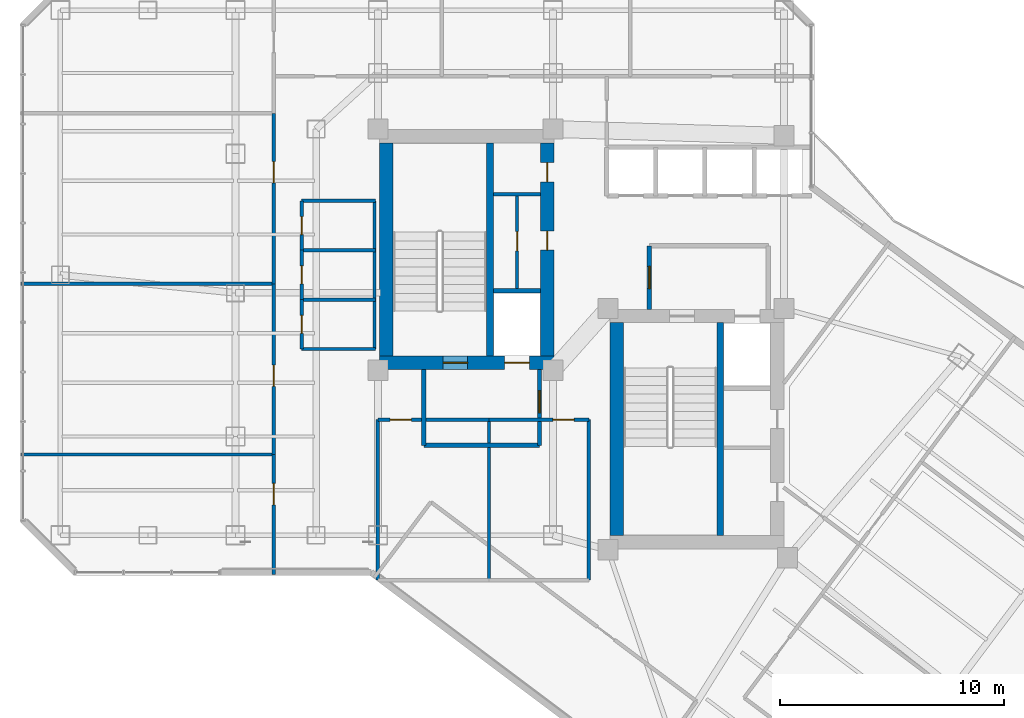
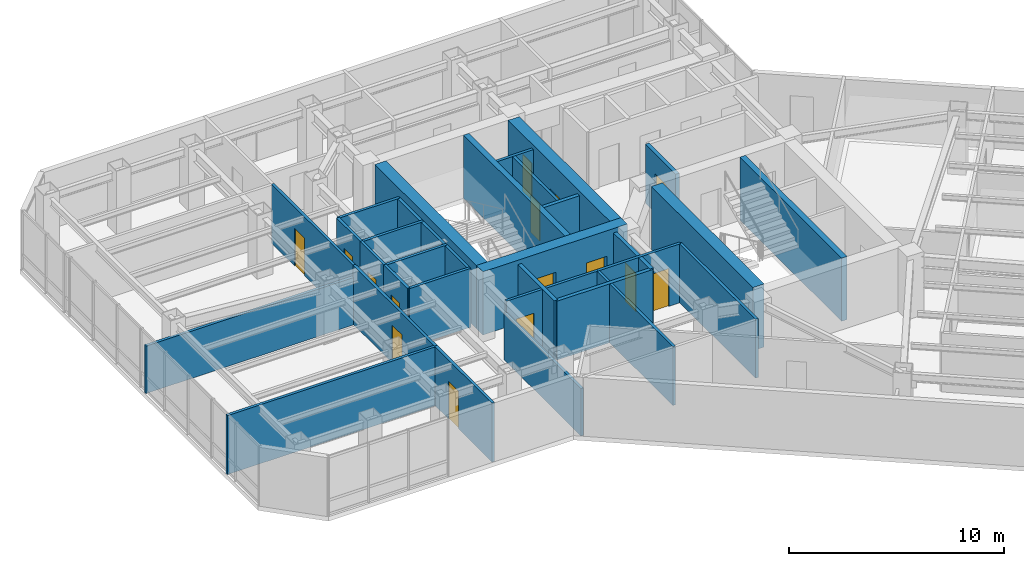
# One storey, part 22 of 27: 31 walls, 15 doors, 15 openings.
"""IFC4 building model written with IfcOpenShell, lengths in metres."""

from ifc_helpers import new_model, si_unit, direction, frame, frame_2d, origin, place, context, subcontext, project, spatial, rectangle, extrude, material, layer, layer_set, type_object, element, fill, save


model = new_model("IFC4")

# Units and contexts
model_context = context("Model", 3, precision=1e-05, world=origin(), true_north=direction((0.0, 1.0)))
body_context = subcontext(model_context, "Body", "Model", "MODEL_VIEW")
ifc_project = project(units=[si_unit("LENGTHUNIT", "METRE"), si_unit("AREAUNIT", "SQUARE_METRE"), si_unit("VOLUMEUNIT", "CUBIC_METRE"), si_unit("PLANEANGLEUNIT", "RADIAN"), si_unit("MASSUNIT", "GRAM", prefix="KILO")], contexts=[model_context])

# Site, building, storey
site_placement = place(None, origin())
site = spatial("IfcSite", under=ifc_project, at=site_placement, CompositionType="ELEMENT")
building_placement = place(site_placement, origin())
building = spatial("IfcBuilding", under=site, at=building_placement, Name="Hatsunagi Terrace Concourse", CompositionType="ELEMENT")
storey_placement = place(building_placement, frame((0.0, 0.0, 142.050048828125)))
storey = spatial("IfcBuildingStorey", under=building, at=storey_placement, Name="L37", CompositionType="ELEMENT", Elevation=142.050048828125)

# Wall, openings, doors
ifc_material_1 = material(Name="Concrete Fc48", Category="concrete")
ifc_layer_1 = layer(ifc_material_1, 0.60009765625)
ifc_layer_set_1 = layer_set([ifc_layer_1], Name="CoreShearWall_Fc48_600")
wall_type_1 = type_object("IfcWallType", Name="CoreShearWall_Fc48_600", PredefinedType="SHEAR", material=ifc_layer_set_1)
wall_1_placement = place(storey_placement, frame((25.6201171875, 32.889892578125, 0.0), z_axis=(0.0, 0.0, 1.0), x_axis=(1.0, 0.0, 0.0)))
wall_1 = element("IfcWall", 1, at=wall_1_placement, inside=storey, type_object=wall_type_1, Name="Core A Shear Wall S L37", PredefinedType="SHEAR", context=body_context, shape_type="SweptSolid", body=[
    extrude(rectangle(XDim=7.77978515625, YDim=0.60009765625, at=frame_2d((3.889892578125, 0.0))), origin(), (0.0, 0.0, 1.0), 3.599853515625),
])
opening_1_placement = place(wall_1_placement, frame((2.830078125, 0.0, 0.0)))
opening_1 = element("IfcOpeningElement", 2, at=opening_1_placement, cuts=wall_1, Name="Opening DR-110S", PredefinedType="OPENING", context=body_context, shape_type="SweptSolid", body=[
    extrude(rectangle(XDim=1.10009765625, YDim=2.199951171875, at=frame_2d((0.550048828125, 1.10009765625))), frame((0.0, 0.31005859375, 0.0), z_axis=(0.0, -1.0, 0.0), x_axis=(1.0, 0.0, 0.0)), (0.0, 0.0, 1.0), 0.6201171875),
])
opening_2_placement = place(wall_1_placement, frame((5.580078125, 0.0, 0.0)))
opening_2 = element("IfcOpeningElement", 3, at=opening_2_placement, cuts=wall_1, Name="Opening LD-01", PredefinedType="OPENING", context=body_context, shape_type="SweptSolid", body=[
    extrude(rectangle(XDim=1.10009765625, YDim=2.14990234375, at=frame_2d((0.550048828125, 1.074951171875))), frame((0.0, 0.31005859375, 0.0), z_axis=(0.0, -1.0, 0.0), x_axis=(1.0, 0.0, 0.0)), (0.0, 0.0, 1.0), 0.6201171875),
])
ifc_material_2 = material(Name="Stainless steel", Category="steel")
door_type_1 = type_object("IfcDoorType", Name="LiftLandingDoor_LD01", OperationType="SLIDING_TO_LEFT", PredefinedType="USERDEFINED", material=ifc_material_2)
door_1_placement = place(opening_2_placement, origin())
door_1 = element("IfcDoor", 4, at=door_1_placement, inside=storey, type_object=door_type_1, Name="Lift landing door FF-01 L37", ObjectType="SLIDING_LANDING_DOOR", OperationType="SLIDING_TO_LEFT", OverallHeight=2.14990234375, OverallWidth=1.10009765625, PredefinedType="USERDEFINED", context=body_context, shape_type="SweptSolid", body=[
    extrude(rectangle(XDim=1.10009765625, YDim=2.14990234375, at=frame_2d((0.550048828125, 1.074951171875))), frame((0.0, 0.02490234375, 0.0), z_axis=(0.0, -1.0, 0.0), x_axis=(1.0, 0.0, 0.0)), (0.0, 0.0, 1.0), 0.050048828125),
])
fill(opening_2, door_1)
ifc_material_3 = material(Name="Painted steel", Category="steel")
door_type_2 = type_object("IfcDoorType", Name="StairFireDoor_EI60_1100", OperationType="NOTDEFINED", PredefinedType="DOOR", material=ifc_material_3)
door_2_placement = place(opening_1_placement, origin())
door_2 = element("IfcDoor", 5, at=door_2_placement, inside=storey, type_object=door_type_2, Name="Stair ST-A Exit Door L37", OperationType="SINGLE_SWING_LEFT", OverallHeight=2.199951171875, OverallWidth=1.10009765625, PredefinedType="DOOR", context=body_context, shape_type="SweptSolid", body=[
    extrude(rectangle(XDim=1.10009765625, YDim=2.199951171875, at=frame_2d((0.550048828125, 1.10009765625))), frame((0.0, 0.02490234375, 0.0), z_axis=(0.0, -1.0, 0.0), x_axis=(1.0, 0.0, 0.0)), (0.0, 0.0, 1.0), 0.050048828125),
])
fill(opening_1, door_2)

# Wall
wall_2_placement = place(storey_placement, frame((25.919921875, 33.18994140625, 0.0), z_axis=(0.0, 0.0, 1.0), x_axis=(0.0, 1.0, 0.0)))
element("IfcWall", 6, at=wall_2_placement, inside=storey, type_object=wall_type_1, Name="Core A Shear Wall W L37", PredefinedType="SHEAR", context=body_context, shape_type="SweptSolid", body=[
    extrude(rectangle(XDim=9.47998046875, YDim=0.60009765625, at=frame_2d((4.739990234375, 0.0))), origin(), (0.0, 0.0, 1.0), 3.599853515625),
])

# Wall, openings, doors
wall_3_placement = place(storey_placement, frame((33.10009765625, 33.18994140625, 0.0), z_axis=(0.0, 0.0, 1.0), x_axis=(0.0, 1.0, 0.0)))
wall_3 = element("IfcWall", 7, at=wall_3_placement, inside=storey, type_object=wall_type_1, Name="Core A Shear Wall E L37", PredefinedType="SHEAR", context=body_context, shape_type="SweptSolid", body=[
    extrude(rectangle(XDim=9.47998046875, YDim=0.60009765625, at=frame_2d((4.739990234375, 0.0))), origin(), (0.0, 0.0, 1.0), 3.599853515625),
])
opening_3_placement = place(wall_3_placement, frame((4.7099609375, 0.0, 0.0)))
opening_3 = element("IfcOpeningElement", 8, at=opening_3_placement, cuts=wall_3, Name="Opening DR-085", PredefinedType="OPENING", context=body_context, shape_type="SweptSolid", body=[
    extrude(rectangle(XDim=0.85009765625, YDim=2.080078125, at=frame_2d((0.425048828125, 1.0400390625))), frame((0.0, 0.31005859375, 0.0), z_axis=(0.0, -1.0, 0.0), x_axis=(1.0, 0.0, 0.0)), (0.0, 0.0, 1.0), 0.6201171875),
])
opening_4_placement = place(wall_3_placement, frame((7.760009765625, 0.0, 0.0)))
opening_4 = element("IfcOpeningElement", 9, at=opening_4_placement, cuts=wall_3, Name="Opening DR-085", PredefinedType="OPENING", context=body_context, shape_type="SweptSolid", body=[
    extrude(rectangle(XDim=0.85009765625, YDim=2.080078125, at=frame_2d((0.425048828125, 1.0400390625))), frame((0.0, 0.31005859375, 0.0), z_axis=(0.0, -1.0, 0.0), x_axis=(1.0, 0.0, 0.0)), (0.0, 0.0, 1.0), 0.6201171875),
])
ifc_material_4 = material(Name="Painted steel", Category="steel")
door_type_3 = type_object("IfcDoorType", Name="RiserAccessDoor_EI60_850", OperationType="NOTDEFINED", PredefinedType="DOOR", material=ifc_material_4)
door_3_placement = place(opening_3_placement, origin())
door_3 = element("IfcDoor", 10, at=door_3_placement, inside=storey, type_object=door_type_3, Name="Core A Riser Door L37-1", OperationType="SINGLE_SWING_LEFT", OverallHeight=2.080078125, OverallWidth=0.85009765625, PredefinedType="DOOR", context=body_context, shape_type="SweptSolid", body=[
    extrude(rectangle(XDim=0.85009765625, YDim=2.080078125, at=frame_2d((0.425048828125, 1.0400390625))), frame((0.0, 0.02490234375, 0.0), z_axis=(0.0, -1.0, 0.0), x_axis=(1.0, 0.0, 0.0)), (0.0, 0.0, 1.0), 0.050048828125),
])
fill(opening_3, door_3)
door_4_placement = place(opening_4_placement, origin())
door_4 = element("IfcDoor", 11, at=door_4_placement, inside=storey, type_object=door_type_3, Name="Core A Riser Door L37-2", OperationType="SINGLE_SWING_LEFT", OverallHeight=2.080078125, OverallWidth=0.85009765625, PredefinedType="DOOR", context=body_context, shape_type="SweptSolid", body=[
    extrude(rectangle(XDim=0.85009765625, YDim=2.080078125, at=frame_2d((0.425048828125, 1.0400390625))), frame((0.0, 0.02490234375, 0.0), z_axis=(0.0, -1.0, 0.0), x_axis=(1.0, 0.0, 0.0)), (0.0, 0.0, 1.0), 0.050048828125),
])
fill(opening_4, door_4)

# Walls
wall_4_placement = place(storey_placement, frame((36.18994140625, 25.18994140625, 0.0), z_axis=(0.0, 0.0, 1.0), x_axis=(0.0, 1.0, 0.0)))
element("IfcWall", 12, at=wall_4_placement, inside=storey, type_object=wall_type_1, Name="Core B Shear Wall W L37", PredefinedType="SHEAR", context=body_context, shape_type="SweptSolid", body=[
    extrude(rectangle(XDim=9.47998046875, YDim=0.60009765625, at=frame_2d((4.739990234375, 0.0))), origin(), (0.0, 0.0, 1.0), 3.599853515625),
])
ifc_material_5 = material(Name="Concrete Fc48", Category="concrete")
ifc_layer_2 = layer(ifc_material_5, 0.300048828125)
ifc_layer_set_2 = layer_set([ifc_layer_2], Name="CoreStairDivider_Fc48_300")
wall_type_2 = type_object("IfcWallType", Name="CoreStairDivider_Fc48_300", PredefinedType="SHEAR", material=ifc_layer_set_2)
for number, where, z_axis, x_axis, name in (
    (13, (30.5400390625, 33.18994140625, 0.0), (0.0, 0.0, 1.0), (0.0, 1.0, 0.0), "Core A Shear Wall D L37"),
    (14, (40.81005859375, 25.18994140625, 0.0), (0.0, 0.0, 1.0), (0.0, 1.0, 0.0), "Core B Shear Wall D L37"),
):
    element("IfcWall", number, at=place(storey_placement, frame(where, z_axis=z_axis, x_axis=x_axis)), inside=storey, type_object=wall_type_2, Name=name, PredefinedType="SHEAR", context=body_context, shape_type="SweptSolid", body=[
        extrude(rectangle(XDim=9.47998046875, YDim=0.300048828125, at=frame_2d((4.739990234375, 0.0))), origin(), (0.0, 0.0, 1.0), 3.599853515625),
    ])

# Wall, opening, door
ifc_material_6 = material(Name="Acoustic mineral board", Category="gypsum")
ifc_layer_3 = layer(ifc_material_6, 0.14990234375)
ifc_layer_set_3 = layer_set([ifc_layer_3], Name="PartitionWall_EI60_150")
wall_type_3 = type_object("IfcWallType", Name="PartitionWall_EI60_150", PredefinedType="PARTITIONING", material=ifc_layer_set_3)
wall_5_placement = place(storey_placement, frame((31.75, 36.179931640625, 0.0), z_axis=(0.0, 0.0, 1.0), x_axis=(0.0, 1.0, 0.0)))
wall_5 = element("IfcWall", 15, at=wall_5_placement, inside=storey, type_object=wall_type_3, Name="Interior Partition IW-L37-002", PredefinedType="PARTITIONING", context=body_context, shape_type="SweptSolid", body=[
    extrude(rectangle(XDim=4.239990234375, YDim=0.14990234375, at=frame_2d((2.1201171875, 0.0))), origin(), (0.0, 0.0, 1.0), 3.349853515625),
])
opening_5_placement = place(wall_5_placement, frame((1.695068359375, 0.0, 0.0)))
opening_5 = element("IfcOpeningElement", 16, at=opening_5_placement, cuts=wall_5, Name="Opening DR-085", PredefinedType="OPENING", context=body_context, shape_type="SweptSolid", body=[
    extrude(rectangle(XDim=0.85009765625, YDim=2.080078125, at=frame_2d((0.425048828125, 1.0400390625))), frame((0.0, 0.0849609375, 0.0), z_axis=(0.0, -1.0, 0.0), x_axis=(1.0, 0.0, 0.0)), (0.0, 0.0, 1.0), 0.169921875),
])
door_5_placement = place(opening_5_placement, origin())
door_5 = element("IfcDoor", 17, at=door_5_placement, inside=storey, type_object=door_type_3, Name="Core A Sub-Riser Door L37", OperationType="SINGLE_SWING_LEFT", OverallHeight=2.080078125, OverallWidth=0.85009765625, PredefinedType="DOOR", context=body_context, shape_type="SweptSolid", body=[
    extrude(rectangle(XDim=0.85009765625, YDim=2.080078125, at=frame_2d((0.425048828125, 1.0400390625))), frame((0.0, 0.02490234375, 0.0), z_axis=(0.0, -1.0, 0.0), x_axis=(1.0, 0.0, 0.0)), (0.0, 0.0, 1.0), 0.050048828125),
])
fill(opening_5, door_5)

# Walls
wall_6_placement = place(storey_placement, frame((30.699951171875, 40.39990234375, 0.0), z_axis=(0.0, 0.0, 1.0), x_axis=(1.0, 0.0, 0.0)))
element("IfcWall", 18, at=wall_6_placement, inside=storey, type_object=wall_type_3, Name="Interior Partition IW-L37-003", PredefinedType="PARTITIONING", context=body_context, shape_type="SweptSolid", body=[
    extrude(rectangle(XDim=2.10009765625, YDim=0.14990234375, at=frame_2d((1.050048828125, 0.0))), origin(), (0.0, 0.0, 1.0), 3.349853515625),
])
for number, where, z_axis, x_axis, name in (
    (19, (22.14990234375, 33.5, 0.0), (0.0, 0.0, 1.0), (1.0, 0.0, 0.0), "Interior Partition IW-L37-018"),
    (20, (22.14990234375, 40.10009765625, 0.0), (0.0, 0.0, 1.0), (1.0, 0.0, 0.0), "Interior Partition IW-L37-019"),
):
    element("IfcWall", number, at=place(storey_placement, frame(where, z_axis=z_axis, x_axis=x_axis)), inside=storey, type_object=wall_type_3, Name=name, PredefinedType="PARTITIONING", context=body_context, shape_type="SweptSolid", body=[
        extrude(rectangle(XDim=3.300048828125, YDim=0.14990234375, at=frame_2d((1.64990234375, 0.0))), origin(), (0.0, 0.0, 1.0), 3.349853515625),
    ])
wall_7_placement = place(storey_placement, frame((25.39990234375, 33.5, 0.0), z_axis=(0.0, 0.0, 1.0), x_axis=(0.0, 1.0, 0.0)))
element("IfcWall", 21, at=wall_7_placement, inside=storey, type_object=wall_type_3, Name="Interior Partition IW-L37-020", PredefinedType="PARTITIONING", context=body_context, shape_type="SweptSolid", body=[
    extrude(rectangle(XDim=6.60009765625, YDim=0.14990234375, at=frame_2d((3.300048828125, 0.0))), origin(), (0.0, 0.0, 1.0), 3.349853515625),
])
for number, where, z_axis, x_axis, name in (
    (22, (22.14990234375, 35.699951171875, 0.0), (0.0, 0.0, 1.0), (1.0, 0.0, 0.0), "Interior Partition IW-L37-021"),
    (23, (22.14990234375, 37.89990234375, 0.0), (0.0, 0.0, 1.0), (1.0, 0.0, 0.0), "Interior Partition IW-L37-022"),
):
    element("IfcWall", number, at=place(storey_placement, frame(where, z_axis=z_axis, x_axis=x_axis)), inside=storey, type_object=wall_type_3, Name=name, PredefinedType="PARTITIONING", context=body_context, shape_type="SweptSolid", body=[
        extrude(rectangle(XDim=3.300048828125, YDim=0.14990234375, at=frame_2d((1.64990234375, 0.0))), origin(), (0.0, 0.0, 1.0), 3.349853515625),
    ])

# Wall, opening, door
wall_8_placement = place(storey_placement, frame((22.14990234375, 33.5, 0.0), z_axis=(0.0, 0.0, 1.0), x_axis=(0.0, 1.0, 0.0)))
wall_8 = element("IfcWall", 24, at=wall_8_placement, inside=storey, type_object=wall_type_3, Name="Interior Partition IW-L37-023", PredefinedType="PARTITIONING", context=body_context, shape_type="SweptSolid", body=[
    extrude(rectangle(XDim=2.199951171875, YDim=0.14990234375, at=frame_2d((1.10009765625, 0.0))), origin(), (0.0, 0.0, 1.0), 3.349853515625),
])
opening_6_placement = place(wall_8_placement, frame((0.699951171875, 0.0, 0.0)))
opening_6 = element("IfcOpeningElement", 25, at=opening_6_placement, cuts=wall_8, Name="Opening DR-080", PredefinedType="OPENING", context=body_context, shape_type="SweptSolid", body=[
    extrude(rectangle(XDim=0.800048828125, YDim=2.06005859375, at=frame_2d((0.39990234375, 1.030029296875))), frame((0.0, 0.0849609375, 0.0), z_axis=(0.0, -1.0, 0.0), x_axis=(1.0, 0.0, 0.0)), (0.0, 0.0, 1.0), 0.169921875),
])
ifc_material_7 = material(Name="Hardwood timber", Category="wood")
door_type_4 = type_object("IfcDoorType", Name="BathroomDoor_800", OperationType="NOTDEFINED", PredefinedType="DOOR", material=ifc_material_7)
door_6_placement = place(opening_6_placement, origin())
door_6 = element("IfcDoor", 26, at=door_6_placement, inside=storey, type_object=door_type_4, Name="Accessible WC Door L37", OperationType="SINGLE_SWING_RIGHT", OverallHeight=2.06005859375, OverallWidth=0.800048828125, PredefinedType="DOOR", context=body_context, shape_type="SweptSolid", body=[
    extrude(rectangle(XDim=0.800048828125, YDim=2.06005859375, at=frame_2d((0.39990234375, 1.030029296875))), frame((0.0, 0.02490234375, 0.0), z_axis=(0.0, -1.0, 0.0), x_axis=(1.0, 0.0, 0.0)), (0.0, 0.0, 1.0), 0.050048828125),
])
fill(opening_6, door_6)

wall_9_placement = place(storey_placement, frame((22.14990234375, 35.699951171875, 0.0), z_axis=(0.0, 0.0, 1.0), x_axis=(0.0, 1.0, 0.0)))
wall_9 = element("IfcWall", 27, at=wall_9_placement, inside=storey, type_object=wall_type_3, Name="Interior Partition IW-L37-024", PredefinedType="PARTITIONING", context=body_context, shape_type="SweptSolid", body=[
    extrude(rectangle(XDim=2.199951171875, YDim=0.14990234375, at=frame_2d((1.10009765625, 0.0))), origin(), (0.0, 0.0, 1.0), 3.349853515625),
])
opening_7_placement = place(wall_9_placement, frame((0.699951171875, 0.0, 0.0)))
opening_7 = element("IfcOpeningElement", 28, at=opening_7_placement, cuts=wall_9, Name="Opening DR-080", PredefinedType="OPENING", context=body_context, shape_type="SweptSolid", body=[
    extrude(rectangle(XDim=0.800048828125, YDim=2.06005859375, at=frame_2d((0.39990234375, 1.030029296875))), frame((0.0, 0.0849609375, 0.0), z_axis=(0.0, -1.0, 0.0), x_axis=(1.0, 0.0, 0.0)), (0.0, 0.0, 1.0), 0.169921875),
])
door_7_placement = place(opening_7_placement, origin())
door_7 = element("IfcDoor", 29, at=door_7_placement, inside=storey, type_object=door_type_4, Name="Female Restroom Door L37", OperationType="SINGLE_SWING_RIGHT", OverallHeight=2.06005859375, OverallWidth=0.800048828125, PredefinedType="DOOR", context=body_context, shape_type="SweptSolid", body=[
    extrude(rectangle(XDim=0.800048828125, YDim=2.06005859375, at=frame_2d((0.39990234375, 1.030029296875))), frame((0.0, 0.02490234375, 0.0), z_axis=(0.0, -1.0, 0.0), x_axis=(1.0, 0.0, 0.0)), (0.0, 0.0, 1.0), 0.050048828125),
])
fill(opening_7, door_7)

wall_10_placement = place(storey_placement, frame((22.14990234375, 37.89990234375, 0.0), z_axis=(0.0, 0.0, 1.0), x_axis=(0.0, 1.0, 0.0)))
wall_10 = element("IfcWall", 30, at=wall_10_placement, inside=storey, type_object=wall_type_3, Name="Interior Partition IW-L37-025", PredefinedType="PARTITIONING", context=body_context, shape_type="SweptSolid", body=[
    extrude(rectangle(XDim=2.2001953125, YDim=0.14990234375, at=frame_2d((1.10009765625, 0.0))), origin(), (0.0, 0.0, 1.0), 3.349853515625),
])
opening_8_placement = place(wall_10_placement, frame((0.699951171875, 0.0, 0.0)))
opening_8 = element("IfcOpeningElement", 31, at=opening_8_placement, cuts=wall_10, Name="Opening DR-080", PredefinedType="OPENING", context=body_context, shape_type="SweptSolid", body=[
    extrude(rectangle(XDim=0.800048828125, YDim=2.06005859375, at=frame_2d((0.39990234375, 1.030029296875))), frame((0.0, 0.0849609375, 0.0), z_axis=(0.0, -1.0, 0.0), x_axis=(1.0, 0.0, 0.0)), (0.0, 0.0, 1.0), 0.169921875),
])
door_8_placement = place(opening_8_placement, origin())
door_8 = element("IfcDoor", 32, at=door_8_placement, inside=storey, type_object=door_type_4, Name="Male Restroom Door L37", OperationType="SINGLE_SWING_RIGHT", OverallHeight=2.06005859375, OverallWidth=0.800048828125, PredefinedType="DOOR", context=body_context, shape_type="SweptSolid", body=[
    extrude(rectangle(XDim=0.800048828125, YDim=2.06005859375, at=frame_2d((0.39990234375, 1.030029296875))), frame((0.0, 0.02490234375, 0.0), z_axis=(0.0, -1.0, 0.0), x_axis=(1.0, 0.0, 0.0)), (0.0, 0.0, 1.0), 0.050048828125),
])
fill(opening_8, door_8)

wall_11_placement = place(storey_placement, frame((25.550048828125, 30.35009765625, 0.0), z_axis=(0.0, 0.0, 1.0), x_axis=(1.0, 0.0, 0.0)))
wall_11 = element("IfcWall", 33, at=wall_11_placement, inside=storey, type_object=wall_type_3, Name="Interior Partition IW-L37-027", PredefinedType="PARTITIONING", context=body_context, shape_type="SweptSolid", body=[
    extrude(rectangle(XDim=4.949951171875, YDim=0.14990234375, at=frame_2d((2.47509765625, 0.0))), origin(), (0.0, 0.0, 1.0), 3.349853515625),
])
opening_9_placement = place(wall_11_placement, frame((0.5419921875, 0.0, 0.0)))
opening_9 = element("IfcOpeningElement", 34, at=opening_9_placement, cuts=wall_11, Name="Opening DR-095", PredefinedType="OPENING", context=body_context, shape_type="SweptSolid", body=[
    extrude(rectangle(XDim=0.949951171875, YDim=2.14990234375, at=frame_2d((0.47509765625, 1.074951171875))), frame((0.0, 0.0849609375, 0.0), z_axis=(0.0, -1.0, 0.0), x_axis=(1.0, 0.0, 0.0)), (0.0, 0.0, 1.0), 0.169921875),
])
ifc_material_8 = material(Name="Hardwood timber", Category="wood")
door_type_5 = type_object("IfcDoorType", Name="InteriorSuiteDoor_EI30_950", OperationType="NOTDEFINED", PredefinedType="DOOR", material=ifc_material_8)
door_9_placement = place(opening_9_placement, origin())
door_9 = element("IfcDoor", 35, at=door_9_placement, inside=storey, type_object=door_type_5, Name="Executive Office L37-RECL1 Door", OperationType="SINGLE_SWING_RIGHT", OverallHeight=2.14990234375, OverallWidth=0.949951171875, PredefinedType="DOOR", context=body_context, shape_type="SweptSolid", body=[
    extrude(rectangle(XDim=0.949951171875, YDim=2.14990234375, at=frame_2d((0.47509765625, 1.074951171875))), frame((0.0, 0.02490234375, 0.0), z_axis=(0.0, -1.0, 0.0), x_axis=(1.0, 0.0, 0.0)), (0.0, 0.0, 1.0), 0.050048828125),
])
fill(opening_9, door_9)

# Walls
wall_12_placement = place(storey_placement, frame((25.550048828125, 23.199951171875, 0.0), z_axis=(0.0, 0.0, 1.0), x_axis=(0.0, 1.0, 0.0)))
element("IfcWall", 36, at=wall_12_placement, inside=storey, type_object=wall_type_3, Name="Interior Partition IW-L37-028", PredefinedType="PARTITIONING", context=body_context, shape_type="SweptSolid", body=[
    extrude(rectangle(XDim=7.150146484375, YDim=0.14990234375, at=frame_2d((3.5751953125, 0.0))), origin(), (0.0, 0.0, 1.0), 2.695068359375),
])
wall_13_placement = place(storey_placement, frame((30.5, 23.199951171875, 0.0), z_axis=(0.0, 0.0, 1.0), x_axis=(0.0, 1.0, 0.0)))
element("IfcWall", 37, at=wall_13_placement, inside=storey, type_object=wall_type_3, Name="Interior Partition IW-L37-029", PredefinedType="PARTITIONING", context=body_context, shape_type="SweptSolid", body=[
    extrude(rectangle(XDim=7.150146484375, YDim=0.14990234375, at=frame_2d((3.5751953125, 0.0))), origin(), (0.0, 0.0, 1.0), 3.349853515625),
])

# Wall, opening, door
wall_14_placement = place(storey_placement, frame((30.5, 30.35009765625, 0.0), z_axis=(0.0, 0.0, 1.0), x_axis=(1.0, 0.0, 0.0)))
wall_14 = element("IfcWall", 38, at=wall_14_placement, inside=storey, type_object=wall_type_3, Name="Interior Partition IW-L37-031", PredefinedType="PARTITIONING", context=body_context, shape_type="SweptSolid", body=[
    extrude(rectangle(XDim=4.449951171875, YDim=0.14990234375, at=frame_2d((2.22509765625, 0.0))), origin(), (0.0, 0.0, 1.0), 3.349853515625),
])
opening_10_placement = place(wall_14_placement, frame((2.845947265625, 0.0, 0.0)))
opening_10 = element("IfcOpeningElement", 39, at=opening_10_placement, cuts=wall_14, Name="Opening DR-095", PredefinedType="OPENING", context=body_context, shape_type="SweptSolid", body=[
    extrude(rectangle(XDim=0.949951171875, YDim=2.14990234375, at=frame_2d((0.47509765625, 1.074951171875))), frame((0.0, 0.0849609375, 0.0), z_axis=(0.0, -1.0, 0.0), x_axis=(1.0, 0.0, 0.0)), (0.0, 0.0, 1.0), 0.169921875),
])
door_10_placement = place(opening_10_placement, origin())
door_10 = element("IfcDoor", 40, at=door_10_placement, inside=storey, type_object=door_type_5, Name="Client Consultation Room L37-RECL2 Door", OperationType="SINGLE_SWING_RIGHT", OverallHeight=2.14990234375, OverallWidth=0.949951171875, PredefinedType="DOOR", context=body_context, shape_type="SweptSolid", body=[
    extrude(rectangle(XDim=0.949951171875, YDim=2.14990234375, at=frame_2d((0.47509765625, 1.074951171875))), frame((0.0, 0.02490234375, 0.0), z_axis=(0.0, -1.0, 0.0), x_axis=(1.0, 0.0, 0.0)), (0.0, 0.0, 1.0), 0.050048828125),
])
fill(opening_10, door_10)

# Walls
wall_15_placement = place(storey_placement, frame((34.949951171875, 23.199951171875, 0.0), z_axis=(0.0, 0.0, 1.0), x_axis=(0.0, 1.0, 0.0)))
element("IfcWall", 41, at=wall_15_placement, inside=storey, type_object=wall_type_3, Name="Interior Partition IW-L37-032", PredefinedType="PARTITIONING", context=body_context, shape_type="SweptSolid", body=[
    extrude(rectangle(XDim=7.150146484375, YDim=0.14990234375, at=frame_2d((3.5751953125, 0.0))), origin(), (0.0, 0.0, 1.0), 3.349853515625),
])
wall_16_placement = place(storey_placement, frame((9.639892578125, 28.800048828125, 0.0), z_axis=(0.0, 0.0, 1.0), x_axis=(1.0, 0.0, 0.0)))
element("IfcWall", 42, at=wall_16_placement, inside=storey, type_object=wall_type_3, Name="Interior Partition IW-L37-033", PredefinedType="PARTITIONING", context=body_context, shape_type="SweptSolid", body=[
    extrude(rectangle(XDim=11.260009765625, YDim=0.14990234375, at=frame_2d((5.6298828125, 0.0))), origin(), (0.0, 0.0, 1.0), 3.349853515625),
])

# Wall, opening, door
wall_17_placement = place(storey_placement, frame((20.89990234375, 23.43994140625, 0.0), z_axis=(0.0, 0.0, 1.0), x_axis=(0.0, 1.0, 0.0)))
wall_17 = element("IfcWall", 43, at=wall_17_placement, inside=storey, type_object=wall_type_3, Name="Interior Partition IW-L37-034", PredefinedType="PARTITIONING", context=body_context, shape_type="SweptSolid", body=[
    extrude(rectangle(XDim=5.360107421875, YDim=0.14990234375, at=frame_2d((2.68017578125, 0.0))), origin(), (0.0, 0.0, 1.0), 3.349853515625),
])
opening_11_placement = place(wall_17_placement, frame((3.116943359375, 0.0, 0.0)))
opening_11 = element("IfcOpeningElement", 44, at=opening_11_placement, cuts=wall_17, Name="Opening DR-095", PredefinedType="OPENING", context=body_context, shape_type="SweptSolid", body=[
    extrude(rectangle(XDim=0.949951171875, YDim=2.14990234375, at=frame_2d((0.47509765625, 1.074951171875))), frame((0.0, 0.0849609375, 0.0), z_axis=(0.0, -1.0, 0.0), x_axis=(1.0, 0.0, 0.0)), (0.0, 0.0, 1.0), 0.169921875),
])
door_11_placement = place(opening_11_placement, origin())
door_11 = element("IfcDoor", 45, at=door_11_placement, inside=storey, type_object=door_type_5, Name="Meeting Room L37-OW1 Door", OperationType="SINGLE_SWING_RIGHT", OverallHeight=2.14990234375, OverallWidth=0.949951171875, PredefinedType="DOOR", context=body_context, shape_type="SweptSolid", body=[
    extrude(rectangle(XDim=0.949951171875, YDim=2.14990234375, at=frame_2d((0.47509765625, 1.074951171875))), frame((0.0, 0.02490234375, 0.0), z_axis=(0.0, -1.0, 0.0), x_axis=(1.0, 0.0, 0.0)), (0.0, 0.0, 1.0), 0.050048828125),
])
fill(opening_11, door_11)

# Wall
wall_18_placement = place(storey_placement, frame((9.639892578125, 36.39990234375, 0.0), z_axis=(0.0, 0.0, 1.0), x_axis=(1.0, 0.0, 0.0)))
element("IfcWall", 46, at=wall_18_placement, inside=storey, type_object=wall_type_3, Name="Interior Partition IW-L37-035", PredefinedType="PARTITIONING", context=body_context, shape_type="SweptSolid", body=[
    extrude(rectangle(XDim=11.260009765625, YDim=0.14990234375, at=frame_2d((5.6298828125, 0.0))), origin(), (0.0, 0.0, 1.0), 2.695068359375),
])

# Wall, opening, door
wall_19_placement = place(storey_placement, frame((20.89990234375, 28.800048828125, 0.0), z_axis=(0.0, 0.0, 1.0), x_axis=(0.0, 1.0, 0.0)))
wall_19 = element("IfcWall", 47, at=wall_19_placement, inside=storey, type_object=wall_type_3, Name="Interior Partition IW-L37-036", PredefinedType="PARTITIONING", context=body_context, shape_type="SweptSolid", body=[
    extrude(rectangle(XDim=7.599853515625, YDim=0.14990234375, at=frame_2d((3.7998046875, 0.0))), origin(), (0.0, 0.0, 1.0), 3.349853515625),
])
opening_12_placement = place(wall_19_placement, frame((3.030029296875, 0.0, 0.0)))
opening_12 = element("IfcOpeningElement", 48, at=opening_12_placement, cuts=wall_19, Name="Opening DR-095", PredefinedType="OPENING", context=body_context, shape_type="SweptSolid", body=[
    extrude(rectangle(XDim=0.949951171875, YDim=2.14990234375, at=frame_2d((0.47509765625, 1.074951171875))), frame((0.0, 0.0849609375, 0.0), z_axis=(0.0, -1.0, 0.0), x_axis=(1.0, 0.0, 0.0)), (0.0, 0.0, 1.0), 0.169921875),
])
door_12_placement = place(opening_12_placement, origin())
door_12 = element("IfcDoor", 49, at=door_12_placement, inside=storey, type_object=door_type_5, Name="Design Studio L37-OW2 Door", OperationType="SINGLE_SWING_RIGHT", OverallHeight=2.14990234375, OverallWidth=0.949951171875, PredefinedType="DOOR", context=body_context, shape_type="SweptSolid", body=[
    extrude(rectangle(XDim=0.949951171875, YDim=2.14990234375, at=frame_2d((0.47509765625, 1.074951171875))), frame((0.0, 0.02490234375, 0.0), z_axis=(0.0, -1.0, 0.0), x_axis=(1.0, 0.0, 0.0)), (0.0, 0.0, 1.0), 0.050048828125),
])
fill(opening_12, door_12)

wall_20_placement = place(storey_placement, frame((20.89990234375, 36.39990234375, 0.0), z_axis=(0.0, 0.0, 1.0), x_axis=(0.0, 1.0, 0.0)))
wall_20 = element("IfcWall", 50, at=wall_20_placement, inside=storey, type_object=wall_type_3, Name="Interior Partition IW-L37-038", PredefinedType="PARTITIONING", context=body_context, shape_type="SweptSolid", body=[
    extrude(rectangle(XDim=7.60009765625, YDim=0.14990234375, at=frame_2d((3.800048828125, 0.0))), origin(), (0.0, 0.0, 1.0), 3.349853515625),
])
opening_13_placement = place(wall_20_placement, frame((4.5029296875, 0.0, 0.0)))
opening_13 = element("IfcOpeningElement", 51, at=opening_13_placement, cuts=wall_20, Name="Opening DR-095", PredefinedType="OPENING", context=body_context, shape_type="SweptSolid", body=[
    extrude(rectangle(XDim=0.949951171875, YDim=2.14990234375, at=frame_2d((0.47509765625, 1.074951171875))), frame((0.0, 0.0849609375, 0.0), z_axis=(0.0, -1.0, 0.0), x_axis=(1.0, 0.0, 0.0)), (0.0, 0.0, 1.0), 0.169921875),
])
door_13_placement = place(opening_13_placement, origin())
door_13 = element("IfcDoor", 52, at=door_13_placement, inside=storey, type_object=door_type_5, Name="Boardroom L37-OW3 Door", OperationType="SINGLE_SWING_RIGHT", OverallHeight=2.14990234375, OverallWidth=0.949951171875, PredefinedType="DOOR", context=body_context, shape_type="SweptSolid", body=[
    extrude(rectangle(XDim=0.949951171875, YDim=2.14990234375, at=frame_2d((0.47509765625, 1.074951171875))), frame((0.0, 0.02490234375, 0.0), z_axis=(0.0, -1.0, 0.0), x_axis=(1.0, 0.0, 0.0)), (0.0, 0.0, 1.0), 0.050048828125),
])
fill(opening_13, door_13)

# Walls
ifc_material_9 = material(Name="Acoustic mineral board", Category="gypsum")
ifc_layer_4 = layer(ifc_material_9, 0.199951171875)
ifc_layer_set_4 = layer_set([ifc_layer_4], Name="ShaftWall_EI120_200")
wall_type_4 = type_object("IfcWallType", Name="ShaftWall_EI120_200", PredefinedType="STANDARD", material=ifc_layer_set_4)
wall_21_placement = place(storey_placement, frame((30.699951171875, 36.10009765625, 0.0), z_axis=(0.0, 0.0, 1.0), x_axis=(1.0, 0.0, 0.0)))
element("IfcWall", 53, at=wall_21_placement, inside=storey, type_object=wall_type_4, Name="Interior Partition IW-L37-001", PredefinedType="STANDARD", context=body_context, shape_type="SweptSolid", body=[
    extrude(rectangle(XDim=2.10009765625, YDim=0.199951171875, at=frame_2d((1.050048828125, 0.0))), origin(), (0.0, 0.0, 1.0), 3.349853515625),
])
wall_22_placement = place(storey_placement, frame((27.60009765625, 29.199951171875, 0.0), z_axis=(0.0, 0.0, 1.0), x_axis=(1.0, 0.0, 0.0)))
element("IfcWall", 54, at=wall_22_placement, inside=storey, type_object=wall_type_4, Name="Interior Partition IW-L37-006", PredefinedType="STANDARD", context=body_context, shape_type="SweptSolid", body=[
    extrude(rectangle(XDim=5.14990234375, YDim=0.199951171875, at=frame_2d((2.574951171875, 0.0))), origin(), (0.0, 0.0, 1.0), 3.349853515625),
])
wall_23_placement = place(storey_placement, frame((27.60009765625, 29.199951171875, 0.0), z_axis=(0.0, 0.0, 1.0), x_axis=(0.0, 1.0, 0.0)))
element("IfcWall", 55, at=wall_23_placement, inside=storey, type_object=wall_type_4, Name="Interior Partition IW-L37-007", PredefinedType="STANDARD", context=body_context, shape_type="SweptSolid", body=[
    extrude(rectangle(XDim=3.39013671875, YDim=0.199951171875, at=frame_2d((1.695068359375, 0.0))), origin(), (0.0, 0.0, 1.0), 3.349853515625),
])

# Wall, opening, door
wall_24_placement = place(storey_placement, frame((32.75, 29.199951171875, 0.0), z_axis=(0.0, 0.0, 1.0), x_axis=(0.0, 1.0, 0.0)))
wall_24 = element("IfcWall", 56, at=wall_24_placement, inside=storey, type_object=wall_type_4, Name="Interior Partition IW-L37-008", PredefinedType="STANDARD", context=body_context, shape_type="SweptSolid", body=[
    extrude(rectangle(XDim=3.39013671875, YDim=0.199951171875, at=frame_2d((1.695068359375, 0.0))), origin(), (0.0, 0.0, 1.0), 3.349853515625),
])
opening_14_placement = place(wall_24_placement, frame((1.449951171875, 0.0, 0.0)))
opening_14 = element("IfcOpeningElement", 57, at=opening_14_placement, cuts=wall_24, Name="Opening DR-100F", PredefinedType="OPENING", context=body_context, shape_type="SweptSolid", body=[
    extrude(rectangle(XDim=1.0, YDim=2.199951171875, at=frame_2d((0.5, 1.10009765625))), frame((0.0, 0.10986328125, 0.0), z_axis=(0.0, -1.0, 0.0), x_axis=(1.0, 0.0, 0.0)), (0.0, 0.0, 1.0), 0.219970703125),
])
ifc_material_10 = material(Name="Painted steel", Category="steel")
door_type_6 = type_object("IfcDoorType", Name="FireDoor_EI60_1000", OperationType="NOTDEFINED", PredefinedType="DOOR", material=ifc_material_10)
door_14_placement = place(opening_14_placement, origin())
door_14 = element("IfcDoor", 58, at=door_14_placement, inside=storey, type_object=door_type_6, Name="Firefighting Lobby A Door L37", OperationType="SINGLE_SWING_RIGHT", OverallHeight=2.199951171875, OverallWidth=1.0, PredefinedType="DOOR", context=body_context, shape_type="SweptSolid", body=[
    extrude(rectangle(XDim=1.0, YDim=2.199951171875, at=frame_2d((0.5, 1.10009765625))), frame((0.0, 0.02490234375, 0.0), z_axis=(0.0, -1.0, 0.0), x_axis=(1.0, 0.0, 0.0)), (0.0, 0.0, 1.0), 0.050048828125),
])
fill(opening_14, door_14)

wall_25_placement = place(storey_placement, frame((37.64990234375, 35.27001953125, 0.0), z_axis=(0.0, 0.0, 1.0), x_axis=(0.0, 1.0, 0.0)))
wall_25 = element("IfcWall", 59, at=wall_25_placement, inside=storey, type_object=wall_type_4, Name="Interior Partition IW-L37-011", PredefinedType="STANDARD", context=body_context, shape_type="SweptSolid", body=[
    extrude(rectangle(XDim=2.830078125, YDim=0.199951171875, at=frame_2d((1.4150390625, 0.0))), origin(), (0.0, 0.0, 1.0), 3.349853515625),
])
opening_15_placement = place(wall_25_placement, frame((0.9150390625, 0.0, 0.0)))
opening_15 = element("IfcOpeningElement", 60, at=opening_15_placement, cuts=wall_25, Name="Opening DR-100F", PredefinedType="OPENING", context=body_context, shape_type="SweptSolid", body=[
    extrude(rectangle(XDim=1.0, YDim=2.199951171875, at=frame_2d((0.5, 1.10009765625))), frame((0.0, 0.10986328125, 0.0), z_axis=(0.0, -1.0, 0.0), x_axis=(1.0, 0.0, 0.0)), (0.0, 0.0, 1.0), 0.219970703125),
])
door_15_placement = place(opening_15_placement, origin())
door_15 = element("IfcDoor", 61, at=door_15_placement, inside=storey, type_object=door_type_6, Name="Firefighting Lobby B Door L37", OperationType="SINGLE_SWING_RIGHT", OverallHeight=2.199951171875, OverallWidth=1.0, PredefinedType="DOOR", context=body_context, shape_type="SweptSolid", body=[
    extrude(rectangle(XDim=1.0, YDim=2.199951171875, at=frame_2d((0.5, 1.10009765625))), frame((0.0, 0.02490234375, 0.0), z_axis=(0.0, -1.0, 0.0), x_axis=(1.0, 0.0, 0.0)), (0.0, 0.0, 1.0), 0.050048828125),
])
fill(opening_15, door_15)

save(model, "model.ifc")
